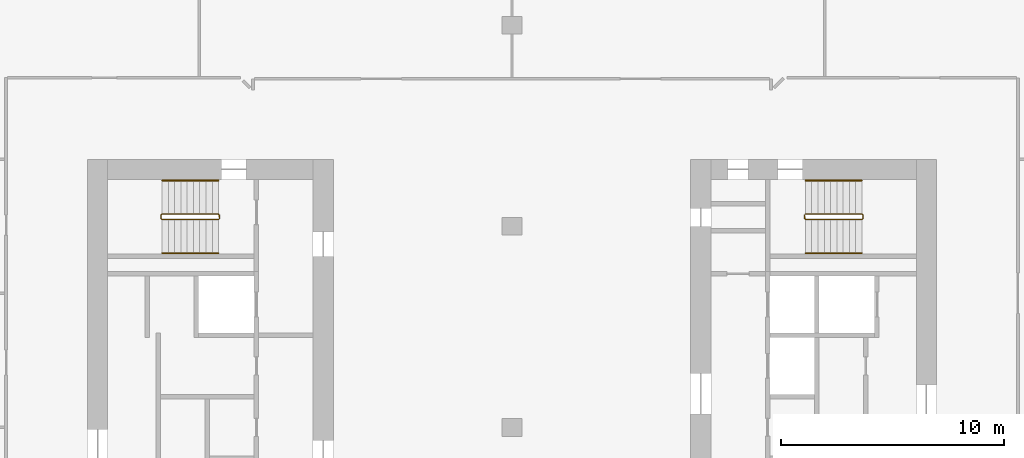
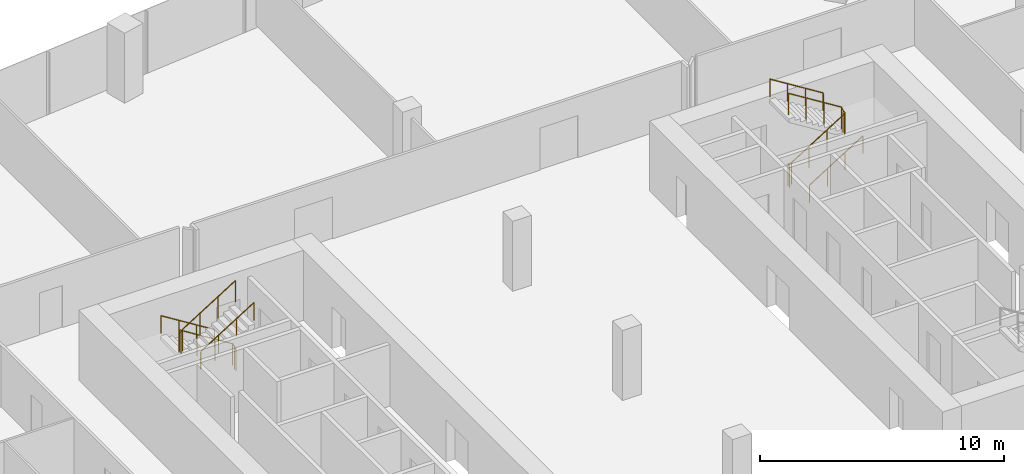
# One storey, part 26 of 26: 6 railings.
"""IFC4 building model written with IfcOpenShell, lengths in metres."""

import ifcopenshell
import ifcopenshell.guid

model = None  # the IFC model being written
_history = None  # IfcOwnerHistory: only IFC2X3 demands one
_inside = {}  # id of a spatial element -> (the spatial element, [elements in it])
_under = {}  # id of a project, library or spatial element -> (it, [spatial elements below it])
_declared = {}  # id of a project -> (the project, [libraries it declares])
_typed = {}  # id of a type object -> (the type object, [elements of that type])
_made_of = {}  # id of a material, layer set ... -> (it, [elements and type objects made of it])


def new_model(schema):
    """Start an empty IFC model of exactly this schema.

    Asked for "IFC4X3", IfcOpenShell would pick the latest addendum, in which some entities
    have other attributes; the version numbers below select the first issue.
    IFC2X3 requires an IfcOwnerHistory on every rooted entity: one is made here for all.
    """
    global model, _history
    if schema == "IFC4X3":
        model = ifcopenshell.file(schema_version=(4, 3, 0, 0))
    else:
        model = ifcopenshell.file(schema=schema)
    _inside.clear()
    _under.clear()
    _declared.clear()
    _typed.clear()
    _made_of.clear()
    _history = None
    if model.schema == "IFC2X3":
        org = make("IfcOrganization", Name="unknown")
        user = make(
            "IfcPersonAndOrganization",
            ThePerson=make("IfcPerson", FamilyName="unknown"),
            TheOrganization=org,
        )
        app = make(
            "IfcApplication",
            ApplicationDeveloper=org,
            Version="unknown",
            ApplicationFullName="unknown",
            ApplicationIdentifier="unknown",
        )
        _history = make(
            "IfcOwnerHistory",
            OwningUser=user,
            OwningApplication=app,
            ChangeAction="ADDED",
            CreationDate=0,
        )
    return model


def make(cls, **values):
    """One entity of the class cls with the attributes given. An attribute that is None is left unset."""
    return model.create_entity(
        cls, **{name: value for name, value in values.items() if value is not None}
    )


def rooted(cls, **values):
    """An entity with a GlobalId (a new one), such as an element, a storey or a relation."""
    return make(cls, GlobalId=ifcopenshell.guid.new(), OwnerHistory=_history, **values)


def si_unit(unit_type, name, prefix=None):
    """IfcSIUnit, for example si_unit("LENGTHUNIT", "METRE", prefix="MILLI")."""
    return make("IfcSIUnit", UnitType=unit_type, Prefix=prefix, Name=name)


def assignment(units):
    """IfcUnitAssignment: the units of a project."""
    return None if units is None else make("IfcUnitAssignment", Units=units)


def point(xyz):
    """IfcCartesianPoint."""
    return None if xyz is None else make("IfcCartesianPoint", Coordinates=xyz)


def direction(xyz):
    """IfcDirection."""
    return None if xyz is None else make("IfcDirection", DirectionRatios=xyz)


def frame(location, z_axis=None, x_axis=None):
    """IfcAxis2Placement3D, a coordinate frame: its origin and axes. An axis left out is left unset."""
    return make(
        "IfcAxis2Placement3D",
        Location=point(location),
        Axis=direction(z_axis),
        RefDirection=direction(x_axis),
    )


def frame_2d(location, x_axis=None):
    """IfcAxis2Placement2D, a coordinate frame in the plane: its origin and x axis."""
    return make(
        "IfcAxis2Placement2D", Location=point(location), RefDirection=direction(x_axis)
    )


def origin():
    """The frame at (0, 0, 0) with its axes left unset."""
    return frame((0.0, 0.0, 0.0))


def origin_2d():
    """The frame at (0, 0) in the plane with its x axis left unset."""
    return frame_2d((0.0, 0.0))


def place(relative_to, where):
    """IfcLocalPlacement: puts the frame where relative to a parent placement (None: the world)."""
    return make(
        "IfcLocalPlacement", PlacementRelTo=relative_to, RelativePlacement=where
    )


def context(
    kind, dimensions, precision=None, world=None, true_north=None, identifier=None
):
    """IfcGeometricRepresentationContext, for example the 3D "Model" context."""
    return make(
        "IfcGeometricRepresentationContext",
        ContextIdentifier=identifier,
        ContextType=kind,
        CoordinateSpaceDimension=dimensions,
        Precision=precision,
        WorldCoordinateSystem=world,
        TrueNorth=true_north,
    )


def subcontext(parent, identifier, kind, view, scale=None):
    """IfcGeometricRepresentationSubContext, for example "Body" below "Model"."""
    return make(
        "IfcGeometricRepresentationSubContext",
        ContextIdentifier=identifier,
        ContextType=kind,
        ParentContext=parent,
        TargetScale=scale,
        TargetView=view,
    )


def project(units=None, contexts=None):
    """IfcProject with its units and contexts."""
    return rooted(
        "IfcProject",
        Name="project",
        RepresentationContexts=contexts,
        UnitsInContext=assignment(units),
    )


def spatial(cls, under=None, at=None, **own):
    """A site, building, storey or space (cls), placed at a placement, below another one or the project."""
    s = rooted(cls, ObjectPlacement=at, **own)
    if under is not None:
        _under.setdefault(under.id(), (under, []))[1].append(s)
    return s


def profile(cls, at=None, kind="AREA", **sizes):
    """A parametric profile (cls). Its sizes go by their IFC names, for example OverallWidth=200.0."""
    return make(cls, ProfileType=kind, Position=at, **sizes)


def circle(**sizes):
    """IfcCircleProfileDef."""
    return profile("IfcCircleProfileDef", **sizes)


def extrude(swept, where, along, depth):
    """IfcExtrudedAreaSolid: the profile swept, set in the frame where, extruded along a direction by depth."""
    return make(
        "IfcExtrudedAreaSolid",
        SweptArea=swept,
        Position=where,
        ExtrudedDirection=direction(along),
        Depth=depth,
    )


def shape(context_of_items, identifier, shape_type, items):
    """IfcShapeRepresentation: the items that make up one representation, for example the "Body"."""
    return make(
        "IfcShapeRepresentation",
        ContextOfItems=context_of_items,
        RepresentationIdentifier=identifier,
        RepresentationType=shape_type,
        Items=items,
    )


def material(Name=None, Category=None):
    """IfcMaterial."""
    return make("IfcMaterial", Name=Name, Category=Category)


def made_of(thing, what):
    """Note that an element or type object is made of a material, layer set ...; save() writes the relation."""
    if what is not None:
        _made_of.setdefault(what.id(), (what, []))[1].append(thing)
    return thing


def type_object(cls, material=None, **own):
    """A type object (cls), such as IfcWallType, which elements share."""
    return made_of(rooted(cls, **own), material)


def element(
    cls,
    number,
    at=None,
    inside=None,
    cuts=None,
    type_object=None,
    material=None,
    context=None,
    identifier="Body",
    shape_type=None,
    held_by="IfcProductDefinitionShape",
    body=None,
    shapes=None,
    **own,
):
    """One element of the class cls, such as IfcWall. Its Tag is "e" and its number.

    at: its placement. inside: the storey or other place that contains it. cuts: it is an
    opening in that element (IfcRelVoidsElement). A single representation is given by context,
    identifier, shape_type and body (its items); several are given by shapes. held_by: the class
    of the entity that holds the representations. save() writes the other relations.
    """
    e = rooted(cls, Tag="e%d" % number, ObjectPlacement=at, **own)
    if body is not None:
        shapes = [shape(context, identifier, shape_type, body)]
    if shapes is not None:
        e.Representation = make(held_by, Representations=shapes)
    if inside is not None:
        _inside.setdefault(inside.id(), (inside, []))[1].append(e)
    if cuts is not None:
        rooted(
            "IfcRelVoidsElement", RelatingBuildingElement=cuts, RelatedOpeningElement=e
        )
    if type_object is not None:
        _typed.setdefault(type_object.id(), (type_object, []))[1].append(e)
    return made_of(e, material)


def aggregate(whole, parts):
    """IfcRelAggregates: a whole, such as a stair, and the parts it consists of."""
    return rooted("IfcRelAggregates", RelatingObject=whole, RelatedObjects=parts)


def save(model, path):
    """Write the relations noted so far, then the file.

    IfcRelAggregates (storeys below a building ...), IfcRelContainedInSpatialStructure (elements
    in a storey), IfcRelDefinesByType, IfcRelAssociatesMaterial and IfcRelDeclares: one each for
    every whole, place, type object, material and project.
    """
    for whole, parts in _under.values():
        aggregate(whole, parts)
    for where, things in _inside.values():
        rooted(
            "IfcRelContainedInSpatialStructure",
            RelatedElements=things,
            RelatingStructure=where,
        )
    for kind, things in _typed.values():
        rooted("IfcRelDefinesByType", RelatedObjects=things, RelatingType=kind)
    for what, things in _made_of.values():
        rooted("IfcRelAssociatesMaterial", RelatedObjects=things, RelatingMaterial=what)
    for by, libraries in _declared.values():
        rooted("IfcRelDeclares", RelatingContext=by, RelatedDefinitions=libraries)
    model.write(path)


model = new_model("IFC4")

# Units and contexts
model_context = context("Model", 3, precision=1e-05, world=origin(), true_north=direction((0.0, 1.0)))
body_context = subcontext(model_context, "Body", "Model", "MODEL_VIEW")
ifc_project = project(units=[si_unit("LENGTHUNIT", "METRE"), si_unit("AREAUNIT", "SQUARE_METRE"), si_unit("VOLUMEUNIT", "CUBIC_METRE"), si_unit("PLANEANGLEUNIT", "RADIAN"), si_unit("MASSUNIT", "GRAM", prefix="KILO")], contexts=[model_context])

# Site, building, storey
site_placement = place(None, origin())
site = spatial("IfcSite", under=ifc_project, at=site_placement, CompositionType="ELEMENT")
building_placement = place(site_placement, origin())
building = spatial("IfcBuilding", under=site, at=building_placement, Name="Orlundy Tower", CompositionType="ELEMENT")
storey_placement = place(building_placement, frame((0.0, 0.0, 214.0)))
storey = spatial("IfcBuildingStorey", under=building, at=storey_placement, Name="L56", CompositionType="ELEMENT", Elevation=214.0)

# Railings
ifc_material_1 = material(Name="Steel balustrade", Category="steel")
railing_type_1 = type_object("IfcRailingType", Name="Stair Guard 1100", PredefinedType="GUARDRAIL", material=ifc_material_1)
railing_1_placement = place(storey_placement, frame((-13.090087890625, 9.5, 0.0)))
element("IfcRailing", 1, at=railing_1_placement, inside=storey, type_object=railing_type_1, Name="L56 ST-W1 stair guard 1", PredefinedType="GUARDRAIL", context=body_context, shape_type="SweptSolid", body=[
    extrude(circle(Radius=0.02392578125, at=origin_2d()), frame((0.0, 0.0, 1.076171875), z_axis=(0.0, -1.0, 0.0), x_axis=(1.0, 0.0, 0.0)), (0.0, 0.0, 1.0), 0.14990234375),
    extrude(circle(Radius=0.02392578125, at=origin_2d()), frame((0.0, -0.14990234375, 1.076171875), z_axis=(-0.18420542264, 0.739530593833, 0.647427882513), x_axis=(-0.970351222016, -0.241699205484, 0.0)), (0.0, 0.0, 1.0), 0.270263671875),
    extrude(circle(Radius=0.02392578125, at=origin_2d()), frame((-0.0498046875, 0.050048828125, 1.2509765625), z_axis=(-0.848007534815, 0.0, 0.529984170421), x_axis=(0.0, -1.0, 0.0)), (0.0, 0.0, 1.0), 2.9716796875),
    extrude(circle(Radius=0.02392578125, at=origin_2d()), frame((-2.56982421875, 0.050048828125, 2.826171875), z_axis=(-0.707106781187, -0.707106781187, 0.0), x_axis=(0.707106781187, -0.707106781187, 0.0)), (0.0, 0.0, 1.0), 0.07080078125),
    extrude(circle(Radius=0.02392578125, at=origin_2d()), frame((-2.619873046875, 0.0, 2.826171875), z_axis=(0.0, -1.0, 0.0), x_axis=(1.0, 0.0, 0.0)), (0.0, 0.0, 1.0), 0.14990234375),
    extrude(circle(Radius=0.02392578125, at=origin_2d()), frame((-2.619873046875, -0.14990234375, 2.826171875), z_axis=(0.265065253269, -0.265065253269, 0.927081885822), x_axis=(0.707106781187, 0.707106781187, 0.0)), (0.0, 0.0, 1.0), 0.188720703125),
    extrude(circle(Radius=0.02392578125, at=origin_2d()), frame((-2.56982421875, -0.199951171875, 3.0009765625), z_axis=(0.848007534815, 0.0, 0.529984170421), x_axis=(0.0, 1.0, 0.0)), (0.0, 0.0, 1.0), 2.9716796875),
    extrude(circle(Radius=0.02099609375, at=origin_2d()), origin(), (0.0, 0.0, 1.0), 1.052001953125),
    extrude(circle(Radius=0.02099609375, at=origin_2d()), frame((0.0, -0.14990234375, 0.0)), (0.0, 0.0, 1.0), 1.052001953125),
    extrude(circle(Radius=0.02099609375, at=origin_2d()), frame((-0.0498046875, 0.050048828125, 0.175048828125)), (0.0, 0.0, 1.0), 1.052001953125),
    extrude(circle(Radius=0.02099609375, at=origin_2d()), frame((-0.889892578125, 0.050048828125, 0.699951171875)), (0.0, 0.0, 1.0), 1.052001953125),
    extrude(circle(Radius=0.02099609375, at=origin_2d()), frame((-1.729736328125, 0.050048828125, 1.22509765625)), (0.0, 0.0, 1.0), 1.052001953125),
    extrude(circle(Radius=0.02099609375, at=origin_2d()), frame((-2.56982421875, 0.050048828125, 1.75)), (0.0, 0.0, 1.0), 1.052001953125),
    extrude(circle(Radius=0.02099609375, at=origin_2d()), frame((-2.619873046875, 0.0, 1.75)), (0.0, 0.0, 1.0), 1.052001953125),
    extrude(circle(Radius=0.02099609375, at=origin_2d()), frame((-2.619873046875, -0.14990234375, 1.75)), (0.0, 0.0, 1.0), 1.052001953125),
    extrude(circle(Radius=0.02099609375, at=origin_2d()), frame((-2.56982421875, -0.199951171875, 1.925048828125)), (0.0, 0.0, 1.0), 1.052001953125),
    extrude(circle(Radius=0.02099609375, at=origin_2d()), frame((-1.729736328125, -0.199951171875, 2.449951171875)), (0.0, 0.0, 1.0), 1.052001953125),
    extrude(circle(Radius=0.02099609375, at=origin_2d()), frame((-0.889892578125, -0.199951171875, 2.97509765625)), (0.0, 0.0, 1.0), 1.052001953125),
    extrude(circle(Radius=0.02099609375, at=origin_2d()), frame((-0.0498046875, -0.199951171875, 3.5)), (0.0, 0.0, 1.0), 1.052001953125),
])
railing_2_placement = place(storey_placement, frame((13.090087890625, 9.35009765625, 0.0)))
element("IfcRailing", 2, at=railing_2_placement, inside=storey, type_object=railing_type_1, Name="L56 ST-E2 stair guard 1", PredefinedType="GUARDRAIL", context=body_context, shape_type="SweptSolid", body=[
    extrude(circle(Radius=0.02392578125, at=origin_2d()), frame((0.0, 0.0, 1.076171875), z_axis=(0.0, 1.0, 0.0), x_axis=(-1.0, 0.0, 0.0)), (0.0, 0.0, 1.0), 0.14990234375),
    extrude(circle(Radius=0.02392578125, at=origin_2d()), frame((0.0, 0.14990234375, 1.076171875), z_axis=(0.18420542264, -0.739530593833, 0.647427882513), x_axis=(0.970351222016, 0.241699205484, 0.0)), (0.0, 0.0, 1.0), 0.270263671875),
    extrude(circle(Radius=0.02392578125, at=origin_2d()), frame((0.0498046875, -0.050048828125, 1.2509765625), z_axis=(0.848007534815, 0.0, 0.529984170421), x_axis=(0.0, 1.0, 0.0)), (0.0, 0.0, 1.0), 2.9716796875),
    extrude(circle(Radius=0.02392578125, at=origin_2d()), frame((2.56982421875, -0.050048828125, 2.826171875), z_axis=(0.707106781187, 0.707106781187, 0.0), x_axis=(-0.707106781187, 0.707106781187, 0.0)), (0.0, 0.0, 1.0), 0.07080078125),
    extrude(circle(Radius=0.02392578125, at=origin_2d()), frame((2.619873046875, 0.0, 2.826171875), z_axis=(0.0, 1.0, 0.0), x_axis=(-1.0, 0.0, 0.0)), (0.0, 0.0, 1.0), 0.14990234375),
    extrude(circle(Radius=0.02392578125, at=origin_2d()), frame((2.619873046875, 0.14990234375, 2.826171875), z_axis=(-0.265065253269, 0.265065253269, 0.927081885822), x_axis=(-0.707106781187, -0.707106781187, 0.0)), (0.0, 0.0, 1.0), 0.188720703125),
    extrude(circle(Radius=0.02392578125, at=origin_2d()), frame((2.56982421875, 0.199951171875, 3.0009765625), z_axis=(-0.848007534815, 0.0, 0.529984170421), x_axis=(0.0, -1.0, 0.0)), (0.0, 0.0, 1.0), 2.9716796875),
    extrude(circle(Radius=0.02099609375, at=origin_2d()), origin(), (0.0, 0.0, 1.0), 1.052001953125),
    extrude(circle(Radius=0.02099609375, at=origin_2d()), frame((0.0, 0.14990234375, 0.0)), (0.0, 0.0, 1.0), 1.052001953125),
    extrude(circle(Radius=0.02099609375, at=origin_2d()), frame((0.0498046875, -0.050048828125, 0.175048828125)), (0.0, 0.0, 1.0), 1.052001953125),
    extrude(circle(Radius=0.02099609375, at=origin_2d()), frame((0.889892578125, -0.050048828125, 0.699951171875)), (0.0, 0.0, 1.0), 1.052001953125),
    extrude(circle(Radius=0.02099609375, at=origin_2d()), frame((1.729736328125, -0.050048828125, 1.22509765625)), (0.0, 0.0, 1.0), 1.052001953125),
    extrude(circle(Radius=0.02099609375, at=origin_2d()), frame((2.56982421875, -0.050048828125, 1.75)), (0.0, 0.0, 1.0), 1.052001953125),
    extrude(circle(Radius=0.02099609375, at=origin_2d()), frame((2.619873046875, 0.0, 1.75)), (0.0, 0.0, 1.0), 1.052001953125),
    extrude(circle(Radius=0.02099609375, at=origin_2d()), frame((2.619873046875, 0.14990234375, 1.75)), (0.0, 0.0, 1.0), 1.052001953125),
    extrude(circle(Radius=0.02099609375, at=origin_2d()), frame((2.56982421875, 0.199951171875, 1.925048828125)), (0.0, 0.0, 1.0), 1.052001953125),
    extrude(circle(Radius=0.02099609375, at=origin_2d()), frame((1.729736328125, 0.199951171875, 2.449951171875)), (0.0, 0.0, 1.0), 1.052001953125),
    extrude(circle(Radius=0.02099609375, at=origin_2d()), frame((0.889892578125, 0.199951171875, 2.97509765625)), (0.0, 0.0, 1.0), 1.052001953125),
    extrude(circle(Radius=0.02099609375, at=origin_2d()), frame((0.0498046875, 0.199951171875, 3.5)), (0.0, 0.0, 1.0), 1.052001953125),
])
ifc_material_2 = material(Name="Steel handrail", Category="steel")
railing_type_2 = type_object("IfcRailingType", Name="Stair Handrail 900", PredefinedType="HANDRAIL", material=ifc_material_2)
railing_3_placement = place(storey_placement, frame((-13.139892578125, 11.050048828125, 0.175048828125)))
element("IfcRailing", 3, at=railing_3_placement, inside=storey, type_object=railing_type_2, Name="L56 ST-W1 stair handrail 1", PredefinedType="HANDRAIL", context=body_context, shape_type="SweptSolid", body=[
    extrude(circle(Radius=0.02392578125, at=origin_2d()), frame((0.0, 0.0, 0.8759765625), z_axis=(-0.848007534815, 0.0, 0.529984170421), x_axis=(0.0, -1.0, 0.0)), (0.0, 0.0, 1.0), 2.9716796875),
    extrude(circle(Radius=0.02099609375, at=origin_2d()), origin(), (0.0, 0.0, 1.0), 0.851806640625),
    extrude(circle(Radius=0.02099609375, at=origin_2d()), frame((-0.840087890625, 0.0, 0.52490234375)), (0.0, 0.0, 1.0), 0.851806640625),
    extrude(circle(Radius=0.02099609375, at=origin_2d()), frame((-1.679931640625, 0.0, 1.050048828125)), (0.0, 0.0, 1.0), 0.851806640625),
    extrude(circle(Radius=0.02099609375, at=origin_2d()), frame((-2.52001953125, 0.0, 1.574951171875)), (0.0, 0.0, 1.0), 0.851806640625),
])
for number, where, name in (
    (4, (-15.659912109375, 7.800048828125, 1.925048828125), "L56 ST-W1 stair handrail 2"),
    (5, (13.139892578125, 7.800048828125, 0.175048828125), "L56 ST-E2 stair handrail 1"),
):
    element("IfcRailing", number, at=place(storey_placement, frame(where)), inside=storey, type_object=railing_type_2, Name=name, PredefinedType="HANDRAIL", context=body_context, shape_type="SweptSolid", body=[
        extrude(circle(Radius=0.02392578125, at=origin_2d()), frame((0.0, 0.0, 0.8759765625), z_axis=(0.848007534815, 0.0, 0.529984170421), x_axis=(0.0, 1.0, 0.0)), (0.0, 0.0, 1.0), 2.9716796875),
        extrude(circle(Radius=0.02099609375, at=origin_2d()), origin(), (0.0, 0.0, 1.0), 0.851806640625),
        extrude(circle(Radius=0.02099609375, at=origin_2d()), frame((0.840087890625, 0.0, 0.52490234375)), (0.0, 0.0, 1.0), 0.851806640625),
        extrude(circle(Radius=0.02099609375, at=origin_2d()), frame((1.679931640625, 0.0, 1.050048828125)), (0.0, 0.0, 1.0), 0.851806640625),
        extrude(circle(Radius=0.02099609375, at=origin_2d()), frame((2.52001953125, 0.0, 1.574951171875)), (0.0, 0.0, 1.0), 0.851806640625),
    ])
railing_4_placement = place(storey_placement, frame((15.659912109375, 11.050048828125, 1.925048828125)))
element("IfcRailing", 6, at=railing_4_placement, inside=storey, type_object=railing_type_2, Name="L56 ST-E2 stair handrail 2", PredefinedType="HANDRAIL", context=body_context, shape_type="SweptSolid", body=[
    extrude(circle(Radius=0.02392578125, at=origin_2d()), frame((0.0, 0.0, 0.8759765625), z_axis=(-0.848007534815, 0.0, 0.529984170421), x_axis=(0.0, -1.0, 0.0)), (0.0, 0.0, 1.0), 2.9716796875),
    extrude(circle(Radius=0.02099609375, at=origin_2d()), origin(), (0.0, 0.0, 1.0), 0.851806640625),
    extrude(circle(Radius=0.02099609375, at=origin_2d()), frame((-0.840087890625, 0.0, 0.52490234375)), (0.0, 0.0, 1.0), 0.851806640625),
    extrude(circle(Radius=0.02099609375, at=origin_2d()), frame((-1.679931640625, 0.0, 1.050048828125)), (0.0, 0.0, 1.0), 0.851806640625),
    extrude(circle(Radius=0.02099609375, at=origin_2d()), frame((-2.52001953125, 0.0, 1.574951171875)), (0.0, 0.0, 1.0), 0.851806640625),
])

save(model, "model.ifc")
